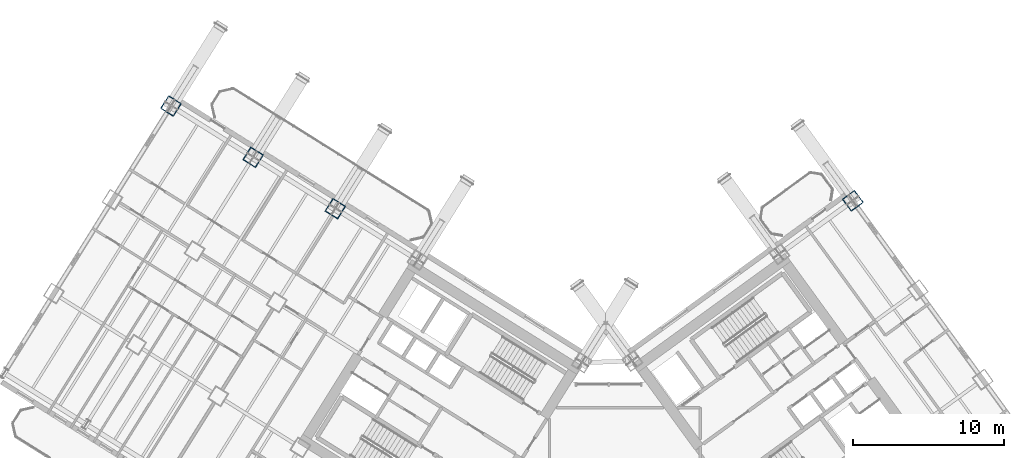
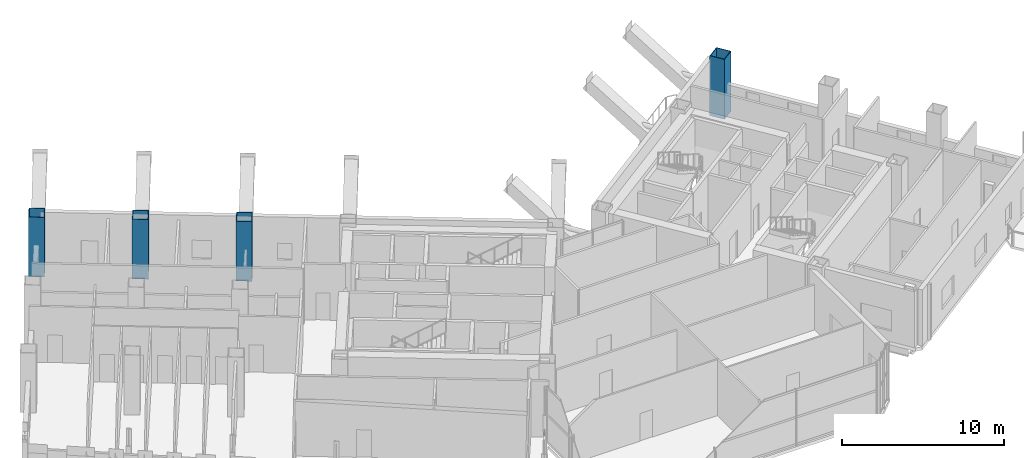
# One storey, part 3 of 30: 4 columns.
"""IFC4 building model written with IfcOpenShell, lengths in metres."""

from ifc_helpers import new_model, si_unit, direction, frame, origin, origin_2d, place, context, subcontext, project, spatial, hollow_rectangle, extrude, source, transform, mapped, material, material_profile, profile_set, type_object, element, save


model = new_model("IFC4")

# Units and contexts
model_context = context("Model", 3, precision=1e-05, world=origin(), true_north=direction((0.0, 1.0)))
body_context = subcontext(model_context, "Body", "Model", "MODEL_VIEW")
ifc_project = project(units=[si_unit("LENGTHUNIT", "METRE"), si_unit("AREAUNIT", "SQUARE_METRE"), si_unit("VOLUMEUNIT", "CUBIC_METRE"), si_unit("PLANEANGLEUNIT", "RADIAN"), si_unit("MASSUNIT", "GRAM", prefix="KILO")], contexts=[model_context])

# Site, building, storey
site_placement = place(None, origin())
site = spatial("IfcSite", under=ifc_project, at=site_placement, CompositionType="ELEMENT")
building_placement = place(site_placement, origin())
building = spatial("IfcBuilding", under=site, at=building_placement, Name="Tlacorven Tower", CompositionType="ELEMENT")
storey_placement = place(building_placement, frame((0.0, 0.0, 67.199951171875)))
storey = spatial("IfcBuildingStorey", under=building, at=storey_placement, Name="L17", CompositionType="ELEMENT", Elevation=67.199951171875)

# Columns
ifc_material = material(Name="Steel S460M", Category="steel")
ifc_material_profile = material_profile(ifc_material, hollow_rectangle(XDim=1.0, YDim=1.0, WallThickness=0.0400390625, at=origin_2d()), Name="BOX 1000X1000X40")
ifc_profile_set = profile_set([ifc_material_profile], Name="Steel S460M")
column_type = type_object("IfcColumnType", Name="COL-TWR-S1", PredefinedType="COLUMN", material=ifc_profile_set)
shared_shape = source(origin(), body_context, "Body", "SweptSolid", [
    extrude(hollow_rectangle(XDim=1.0, YDim=1.0, WallThickness=0.0400390625, at=origin_2d()), origin(), (0.0, 0.0, 1.0), 4.5),
])
for number, where, z_axis, x_axis, name in (
    (1, (24.50048828125, 34.642822265625, 0.0), (0.0, 0.0, 1.0), (-0.848048096156, 0.529919264233, 0.0), "L17 column COL-L17-W4-1"),
    (2, (19.072998046875, 38.034423828125, 0.0), (0.0, 0.0, 1.0), (-0.848048096156, 0.529919264233, 0.0), "L17 column COL-L17-W5-1"),
    (3, (13.6455078125, 41.42578125, 0.0), (0.0, 0.0, 1.0), (-0.848048096156, 0.529919264233, 0.0), "L17 column COL-L17-W6-1"),
    (4, (58.68603515625, 35.165283203125, 0.0), (0.0, 0.0, 1.0), (0.809016994375, 0.587785252292, 0.0), "L17 column COL-L17-E4-4"),
):
    element("IfcColumn", number, at=place(storey_placement, frame(where, z_axis=z_axis, x_axis=x_axis)), inside=storey, type_object=column_type, Name=name, PredefinedType="COLUMN", context=body_context, shape_type="MappedRepresentation", body=[
        mapped(shared_shape, transform((0.0, 0.0, 0.0), scale=1.0)),
    ])

save(model, "model.ifc")
